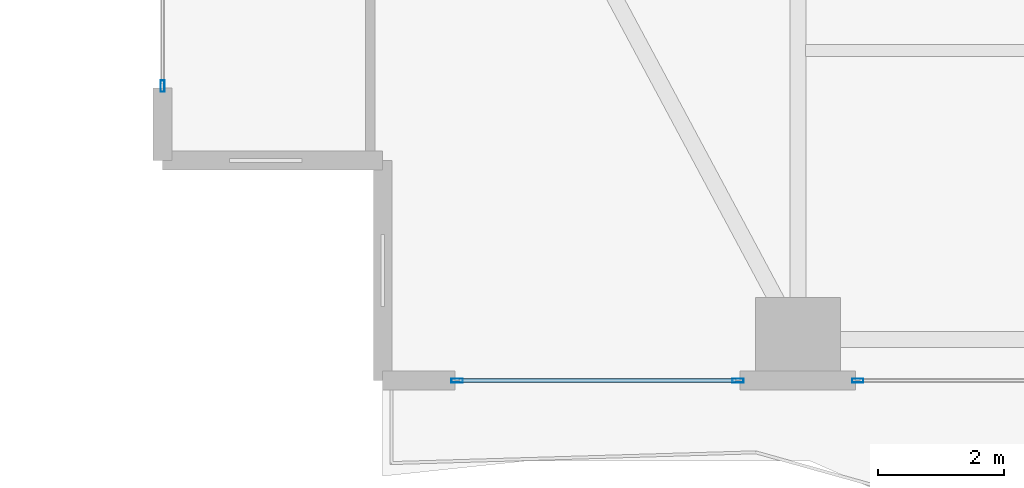
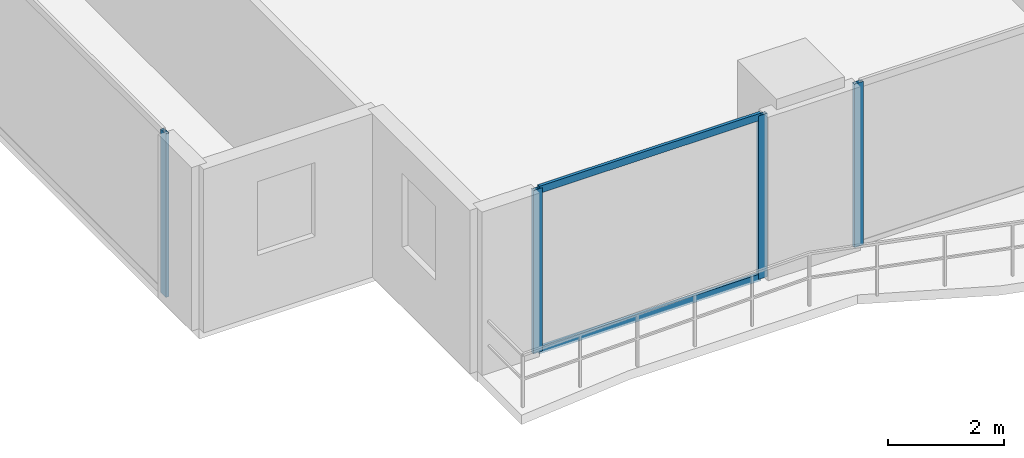
# One storey, part 2 of 29: 6 members, 3 elements without a shape of their own.
"""IFC4 building model written with IfcOpenShell, lengths in metres."""

from ifc_helpers import new_model, si_unit, direction, frame, origin, origin_2d, place, context, subcontext, project, spatial, hollow_rectangle, extrude, material, layer, layer_set, material_profile, profile_set, type_object, element, aggregate, save


model = new_model("IFC4")

# Units and contexts
model_context = context("Model", 3, precision=1e-05, world=origin(), true_north=direction((0.0, 1.0)))
body_context = subcontext(model_context, "Body", "Model", "MODEL_VIEW")
ifc_project = project(units=[si_unit("LENGTHUNIT", "METRE"), si_unit("AREAUNIT", "SQUARE_METRE"), si_unit("VOLUMEUNIT", "CUBIC_METRE"), si_unit("PLANEANGLEUNIT", "RADIAN"), si_unit("MASSUNIT", "GRAM", prefix="KILO")], contexts=[model_context])

# Site, building, storey
site_placement = place(None, origin())
site = spatial("IfcSite", under=ifc_project, at=site_placement, CompositionType="ELEMENT")
building_placement = place(site_placement, origin())
building = spatial("IfcBuilding", under=site, at=building_placement, Name="Zuhayl Quay Hotel", CompositionType="ELEMENT")
storey_placement = place(building_placement, frame((0.0, 0.0, 113.89990234375)))
storey = spatial("IfcBuildingStorey", under=building, at=storey_placement, Name="L28", CompositionType="ELEMENT", Elevation=113.89990234375)

# Curtain wall, member
ifc_material_1 = material(Name="Anodised Aluminium 6063-T6", Category="aluminium")
ifc_layer = layer(ifc_material_1, 0.179931640625, Name="Anodised Aluminium 6063-T6", Category="aluminium")
ifc_layer_set = layer_set([ifc_layer], Name="Anodised Aluminium 6063-T6")
curtain_wall_type = type_object("IfcCurtainWallType", Name="CW_SYS_Z2", PredefinedType="USERDEFINED", material=ifc_layer_set)
curtain_wall_1_placement = place(storey_placement, origin())
curtain_wall_1 = element("IfcCurtainWall", 1, at=curtain_wall_1_placement, inside=storey, type_object=curtain_wall_type, Name="L28 Curtain Wall ENV_L28_E02_CW1", ObjectType="UNITISED CURTAIN WALL", PredefinedType="USERDEFINED")
ifc_material_2 = material(Name="Black-anodised aluminium 6063-T6", Category="aluminium")
ifc_material_profile_1 = material_profile(ifc_material_2, hollow_rectangle(XDim=0.06494140625, YDim=0.179931640625, WallThickness=0.00341796875, at=origin_2d()), Name="ALU180X65")
ifc_profile_set_1 = profile_set([ifc_material_profile_1], Name="Black-anodised aluminium 6063-T6")
member_type_1 = type_object("IfcMemberType", Name="MB_CW_MUL_180", PredefinedType="MULLION", material=ifc_profile_set_1)
member_1_placement = place(storey_placement, frame((-23.89990234375, -10.717529296875, 0.0), z_axis=(0.0, 0.0, 1.0), x_axis=(-1.0, 0.0, 0.0)))
member_1 = element("IfcMember", 2, at=member_1_placement, type_object=member_type_1, Name="CW-Z2 mullion 1", PredefinedType="MULLION", context=body_context, shape_type="SweptSolid", body=[
    extrude(hollow_rectangle(XDim=0.06494140625, YDim=0.179931640625, WallThickness=0.00341796875, at=origin_2d()), origin(), (0.0, 0.0, 1.0), 3.43017578125),
])
aggregate(curtain_wall_1, [member_1])

curtain_wall_2_placement = place(storey_placement, origin())
curtain_wall_2 = element("IfcCurtainWall", 3, at=curtain_wall_2_placement, inside=storey, type_object=curtain_wall_type, Name="L28 Curtain Wall ENV_L28_S_CW5", ObjectType="UNITISED CURTAIN WALL", PredefinedType="USERDEFINED")
member_2_placement = place(storey_placement, frame((-12.847412109375, -15.39990234375, 0.0), z_axis=(0.0, 0.0, 1.0), x_axis=(0.0, -1.0, 0.0)))
member_2 = element("IfcMember", 4, at=member_2_placement, type_object=member_type_1, Name="CW-Z2 mullion 2", PredefinedType="MULLION", context=body_context, shape_type="SweptSolid", body=[
    extrude(hollow_rectangle(XDim=0.06494140625, YDim=0.179931640625, WallThickness=0.00341796875, at=origin_2d()), origin(), (0.0, 0.0, 1.0), 3.43017578125),
])
aggregate(curtain_wall_2, [member_2])

# Curtain wall, members
curtain_wall_3_placement = place(storey_placement, origin())
curtain_wall_3 = element("IfcCurtainWall", 5, at=curtain_wall_3_placement, inside=storey, type_object=curtain_wall_type, Name="L28 Curtain Wall ENV_L28_S_CW6", ObjectType="UNITISED CURTAIN WALL", PredefinedType="USERDEFINED")
member_3_placement = place(storey_placement, frame((-14.75244140625, -15.39990234375, 0.0), z_axis=(0.0, 0.0, 1.0), x_axis=(0.0, -1.0, 0.0)))
member_3 = element("IfcMember", 6, at=member_3_placement, type_object=member_type_1, Name="CW-Z2 mullion 1", PredefinedType="MULLION", context=body_context, shape_type="SweptSolid", body=[
    extrude(hollow_rectangle(XDim=0.06494140625, YDim=0.179931640625, WallThickness=0.00341796875, at=origin_2d()), origin(), (0.0, 0.0, 1.0), 3.43017578125),
])
member_4_placement = place(storey_placement, frame((-19.217529296875, -15.39990234375, 0.0), z_axis=(0.0, 0.0, 1.0), x_axis=(0.0, -1.0, 0.0)))
member_4 = element("IfcMember", 7, at=member_4_placement, type_object=member_type_1, Name="CW-Z2 mullion 2", PredefinedType="MULLION", context=body_context, shape_type="SweptSolid", body=[
    extrude(hollow_rectangle(XDim=0.06494140625, YDim=0.179931640625, WallThickness=0.00341796875, at=origin_2d()), origin(), (0.0, 0.0, 1.0), 3.43017578125),
])
ifc_material_profile_2 = material_profile(ifc_material_2, hollow_rectangle(XDim=0.06005859375, YDim=0.14990234375, WallThickness=0.00341796875, at=origin_2d()), Name="ALU150X60")
ifc_profile_set_2 = profile_set([ifc_material_profile_2], Name="Black-anodised aluminium 6063-T6")
member_type_2 = type_object("IfcMemberType", Name="MB_CW_TRN_150", PredefinedType="USERDEFINED", material=ifc_profile_set_2)
member_5_placement = place(storey_placement, frame((-14.784912109375, -15.39990234375, 0.030029296875), z_axis=(-1.0, 0.0, 0.0), x_axis=(0.0, -1.0, 0.0)))
member_5 = element("IfcMember", 8, at=member_5_placement, type_object=member_type_2, Name="CW-Z2 transom 1.1", ObjectType="TRANSOM", PredefinedType="USERDEFINED", context=body_context, shape_type="SweptSolid", body=[
    extrude(hollow_rectangle(XDim=0.06005859375, YDim=0.14990234375, WallThickness=0.00341796875, at=origin_2d()), origin(), (0.0, 0.0, 1.0), 4.400146484375),
])
member_6_placement = place(storey_placement, frame((-14.784912109375, -15.39990234375, 3.400146484375), z_axis=(-1.0, 0.0, 0.0), x_axis=(0.0, -1.0, 0.0)))
member_6 = element("IfcMember", 9, at=member_6_placement, type_object=member_type_2, Name="CW-Z2 transom 1.2", ObjectType="TRANSOM", PredefinedType="USERDEFINED", context=body_context, shape_type="SweptSolid", body=[
    extrude(hollow_rectangle(XDim=0.06005859375, YDim=0.14990234375, WallThickness=0.00341796875, at=origin_2d()), origin(), (0.0, 0.0, 1.0), 4.400146484375),
])
aggregate(curtain_wall_3, [member_3, member_4, member_5, member_6])

save(model, "model.ifc")
